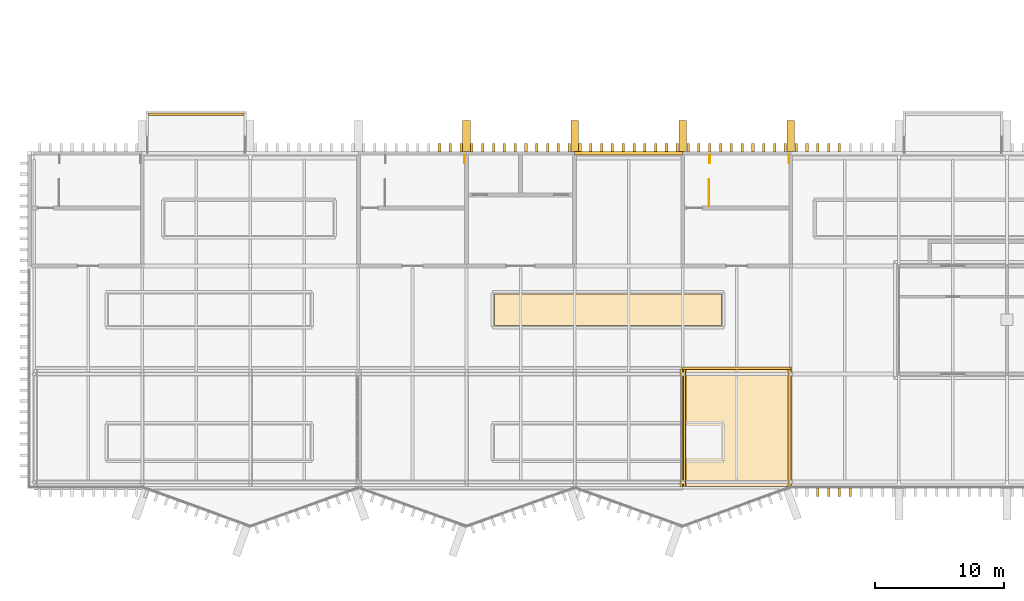
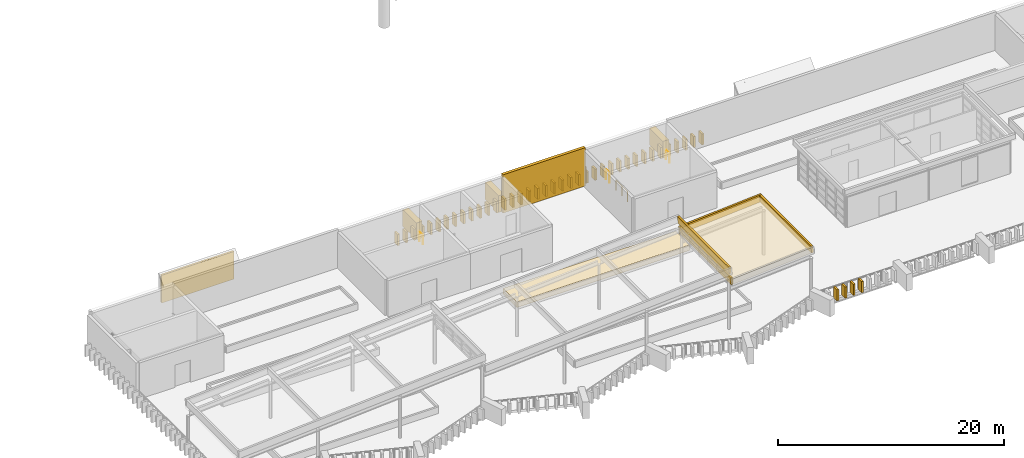
# One storey, part 45 of 51: 54 coverings, 4 railings.
"""IFC4 building model written with IfcOpenShell, lengths in metres."""

import ifcopenshell
import ifcopenshell.guid

model = None  # the IFC model being written
_history = None  # IfcOwnerHistory: only IFC2X3 demands one
_inside = {}  # id of a spatial element -> (the spatial element, [elements in it])
_under = {}  # id of a project, library or spatial element -> (it, [spatial elements below it])
_declared = {}  # id of a project -> (the project, [libraries it declares])
_typed = {}  # id of a type object -> (the type object, [elements of that type])
_made_of = {}  # id of a material, layer set ... -> (it, [elements and type objects made of it])


def new_model(schema):
    """Start an empty IFC model of exactly this schema.

    Asked for "IFC4X3", IfcOpenShell would pick the latest addendum, in which some entities
    have other attributes; the version numbers below select the first issue.
    IFC2X3 requires an IfcOwnerHistory on every rooted entity: one is made here for all.
    """
    global model, _history
    if schema == "IFC4X3":
        model = ifcopenshell.file(schema_version=(4, 3, 0, 0))
    else:
        model = ifcopenshell.file(schema=schema)
    _inside.clear()
    _under.clear()
    _declared.clear()
    _typed.clear()
    _made_of.clear()
    _history = None
    if model.schema == "IFC2X3":
        org = make("IfcOrganization", Name="unknown")
        user = make(
            "IfcPersonAndOrganization",
            ThePerson=make("IfcPerson", FamilyName="unknown"),
            TheOrganization=org,
        )
        app = make(
            "IfcApplication",
            ApplicationDeveloper=org,
            Version="unknown",
            ApplicationFullName="unknown",
            ApplicationIdentifier="unknown",
        )
        _history = make(
            "IfcOwnerHistory",
            OwningUser=user,
            OwningApplication=app,
            ChangeAction="ADDED",
            CreationDate=0,
        )
    return model


def make(cls, **values):
    """One entity of the class cls with the attributes given. An attribute that is None is left unset."""
    return model.create_entity(
        cls, **{name: value for name, value in values.items() if value is not None}
    )


def rooted(cls, **values):
    """An entity with a GlobalId (a new one), such as an element, a storey or a relation."""
    return make(cls, GlobalId=ifcopenshell.guid.new(), OwnerHistory=_history, **values)


def si_unit(unit_type, name, prefix=None):
    """IfcSIUnit, for example si_unit("LENGTHUNIT", "METRE", prefix="MILLI")."""
    return make("IfcSIUnit", UnitType=unit_type, Prefix=prefix, Name=name)


def assignment(units):
    """IfcUnitAssignment: the units of a project."""
    return None if units is None else make("IfcUnitAssignment", Units=units)


def point(xyz):
    """IfcCartesianPoint."""
    return None if xyz is None else make("IfcCartesianPoint", Coordinates=xyz)


def direction(xyz):
    """IfcDirection."""
    return None if xyz is None else make("IfcDirection", DirectionRatios=xyz)


def frame(location, z_axis=None, x_axis=None):
    """IfcAxis2Placement3D, a coordinate frame: its origin and axes. An axis left out is left unset."""
    return make(
        "IfcAxis2Placement3D",
        Location=point(location),
        Axis=direction(z_axis),
        RefDirection=direction(x_axis),
    )


def frame_2d(location, x_axis=None):
    """IfcAxis2Placement2D, a coordinate frame in the plane: its origin and x axis."""
    return make(
        "IfcAxis2Placement2D", Location=point(location), RefDirection=direction(x_axis)
    )


def origin():
    """The frame at (0, 0, 0) with its axes left unset."""
    return frame((0.0, 0.0, 0.0))


def origin_2d():
    """The frame at (0, 0) in the plane with its x axis left unset."""
    return frame_2d((0.0, 0.0))


def place(relative_to, where):
    """IfcLocalPlacement: puts the frame where relative to a parent placement (None: the world)."""
    return make(
        "IfcLocalPlacement", PlacementRelTo=relative_to, RelativePlacement=where
    )


def context(
    kind, dimensions, precision=None, world=None, true_north=None, identifier=None
):
    """IfcGeometricRepresentationContext, for example the 3D "Model" context."""
    return make(
        "IfcGeometricRepresentationContext",
        ContextIdentifier=identifier,
        ContextType=kind,
        CoordinateSpaceDimension=dimensions,
        Precision=precision,
        WorldCoordinateSystem=world,
        TrueNorth=true_north,
    )


def subcontext(parent, identifier, kind, view, scale=None):
    """IfcGeometricRepresentationSubContext, for example "Body" below "Model"."""
    return make(
        "IfcGeometricRepresentationSubContext",
        ContextIdentifier=identifier,
        ContextType=kind,
        ParentContext=parent,
        TargetScale=scale,
        TargetView=view,
    )


def project(units=None, contexts=None):
    """IfcProject with its units and contexts."""
    return rooted(
        "IfcProject",
        Name="project",
        RepresentationContexts=contexts,
        UnitsInContext=assignment(units),
    )


def spatial(cls, under=None, at=None, **own):
    """A site, building, storey or space (cls), placed at a placement, below another one or the project."""
    s = rooted(cls, ObjectPlacement=at, **own)
    if under is not None:
        _under.setdefault(under.id(), (under, []))[1].append(s)
    return s


def polyline(points):
    """IfcPolyline through the points."""
    return make("IfcPolyline", Points=[point(p) for p in points])


def profile(cls, at=None, kind="AREA", **sizes):
    """A parametric profile (cls). Its sizes go by their IFC names, for example OverallWidth=200.0."""
    return make(cls, ProfileType=kind, Position=at, **sizes)


def rectangle(**sizes):
    """IfcRectangleProfileDef."""
    return profile("IfcRectangleProfileDef", **sizes)


def circle(**sizes):
    """IfcCircleProfileDef."""
    return profile("IfcCircleProfileDef", **sizes)


def outline(outer, holes=None, kind="AREA"):
    """IfcArbitraryClosedProfileDef: a profile drawn as a closed curve; with holes, ...WithVoids."""
    if holes is None:
        return make("IfcArbitraryClosedProfileDef", ProfileType=kind, OuterCurve=outer)
    return make(
        "IfcArbitraryProfileDefWithVoids",
        ProfileType=kind,
        OuterCurve=outer,
        InnerCurves=holes,
    )


def extrude(swept, where, along, depth):
    """IfcExtrudedAreaSolid: the profile swept, set in the frame where, extruded along a direction by depth."""
    return make(
        "IfcExtrudedAreaSolid",
        SweptArea=swept,
        Position=where,
        ExtrudedDirection=direction(along),
        Depth=depth,
    )


def shape(context_of_items, identifier, shape_type, items):
    """IfcShapeRepresentation: the items that make up one representation, for example the "Body"."""
    return make(
        "IfcShapeRepresentation",
        ContextOfItems=context_of_items,
        RepresentationIdentifier=identifier,
        RepresentationType=shape_type,
        Items=items,
    )


def material(Name=None, Category=None):
    """IfcMaterial."""
    return make("IfcMaterial", Name=Name, Category=Category)


def layer(
    of_material, thickness, ventilated=None, Name=None, Category=None, Priority=None
):
    """IfcMaterialLayer: one layer of a wall or slab, of a material (None: an air gap)."""
    return make(
        "IfcMaterialLayer",
        Material=of_material,
        LayerThickness=thickness,
        IsVentilated=ventilated,
        Name=Name,
        Category=Category,
        Priority=Priority,
    )


def layer_set(layers, Name=None):
    """IfcMaterialLayerSet."""
    return make("IfcMaterialLayerSet", MaterialLayers=layers, LayerSetName=Name)


def made_of(thing, what):
    """Note that an element or type object is made of a material, layer set ...; save() writes the relation."""
    if what is not None:
        _made_of.setdefault(what.id(), (what, []))[1].append(thing)
    return thing


def type_object(cls, material=None, **own):
    """A type object (cls), such as IfcWallType, which elements share."""
    return made_of(rooted(cls, **own), material)


def element(
    cls,
    number,
    at=None,
    inside=None,
    cuts=None,
    type_object=None,
    material=None,
    context=None,
    identifier="Body",
    shape_type=None,
    held_by="IfcProductDefinitionShape",
    body=None,
    shapes=None,
    **own,
):
    """One element of the class cls, such as IfcWall. Its Tag is "e" and its number.

    at: its placement. inside: the storey or other place that contains it. cuts: it is an
    opening in that element (IfcRelVoidsElement). A single representation is given by context,
    identifier, shape_type and body (its items); several are given by shapes. held_by: the class
    of the entity that holds the representations. save() writes the other relations.
    """
    e = rooted(cls, Tag="e%d" % number, ObjectPlacement=at, **own)
    if body is not None:
        shapes = [shape(context, identifier, shape_type, body)]
    if shapes is not None:
        e.Representation = make(held_by, Representations=shapes)
    if inside is not None:
        _inside.setdefault(inside.id(), (inside, []))[1].append(e)
    if cuts is not None:
        rooted(
            "IfcRelVoidsElement", RelatingBuildingElement=cuts, RelatedOpeningElement=e
        )
    if type_object is not None:
        _typed.setdefault(type_object.id(), (type_object, []))[1].append(e)
    return made_of(e, material)


def aggregate(whole, parts):
    """IfcRelAggregates: a whole, such as a stair, and the parts it consists of."""
    return rooted("IfcRelAggregates", RelatingObject=whole, RelatedObjects=parts)


def save(model, path):
    """Write the relations noted so far, then the file.

    IfcRelAggregates (storeys below a building ...), IfcRelContainedInSpatialStructure (elements
    in a storey), IfcRelDefinesByType, IfcRelAssociatesMaterial and IfcRelDeclares: one each for
    every whole, place, type object, material and project.
    """
    for whole, parts in _under.values():
        aggregate(whole, parts)
    for where, things in _inside.values():
        rooted(
            "IfcRelContainedInSpatialStructure",
            RelatedElements=things,
            RelatingStructure=where,
        )
    for kind, things in _typed.values():
        rooted("IfcRelDefinesByType", RelatedObjects=things, RelatingType=kind)
    for what, things in _made_of.values():
        rooted("IfcRelAssociatesMaterial", RelatedObjects=things, RelatingMaterial=what)
    for by, libraries in _declared.values():
        rooted("IfcRelDeclares", RelatingContext=by, RelatedDefinitions=libraries)
    model.write(path)


model = new_model("IFC4")

# Units and contexts
model_context = context("Model", 3, precision=1e-05, world=origin(), true_north=direction((0.0, 1.0)))
body_context = subcontext(model_context, "Body", "Model", "MODEL_VIEW")
ifc_project = project(units=[si_unit("LENGTHUNIT", "METRE"), si_unit("AREAUNIT", "SQUARE_METRE"), si_unit("VOLUMEUNIT", "CUBIC_METRE"), si_unit("PLANEANGLEUNIT", "RADIAN"), si_unit("MASSUNIT", "GRAM", prefix="KILO")], contexts=[model_context])

# Site, building, storey
site_placement = place(None, origin())
site = spatial("IfcSite", under=ifc_project, at=site_placement, CompositionType="ELEMENT")
building_placement = place(site_placement, origin())
building = spatial("IfcBuilding", under=site, at=building_placement, Name="Cresset Court Congress Hotel", CompositionType="ELEMENT")
storey_placement = place(building_placement, frame((0.0, 0.0, 18.60009765625)))
storey = spatial("IfcBuildingStorey", under=building, at=storey_placement, Name="L04", CompositionType="ELEMENT", Elevation=18.60009765625)

# Railings
ifc_material_1 = material(Name="Steel and laminated glass", Category="steel")
railing_type = type_object("IfcRailingType", Name="Guard 1100 steel and glass", PredefinedType="GUARDRAIL", material=ifc_material_1)
for number, where, name in (
    (1, (41.85009765625, 24.800048828125, 0.0), "Roof stair well guard 3"),
    (2, (67.050048828125, 24.800048828125, 0.0), "Roof stair well guard 5"),
    (3, (60.90087890625, 24.800048828125, 0.0), "Roof stair well guard 6"),
):
    element("IfcRailing", number, at=place(storey_placement, frame(where)), inside=storey, type_object=railing_type, Name=name, PredefinedType="GUARDRAIL", context=body_context, shape_type="SweptSolid", body=[
        extrude(circle(Radius=0.02392578125, at=origin_2d()), frame((0.0, 0.0, 1.076171875), z_axis=(0.0, 1.0, 0.0), x_axis=(-1.0, 0.0, 0.0)), (0.0, 0.0, 1.0), 0.599853515625),
        extrude(circle(Radius=0.02099609375, at=origin_2d()), origin(), (0.0, 0.0, 1.0), 1.052001953125),
        extrude(circle(Radius=0.02099609375, at=origin_2d()), frame((0.0, 0.599853515625, 0.0)), (0.0, 0.0, 1.0), 1.052001953125),
    ])
railing_placement = place(storey_placement, frame((60.85009765625, 21.449951171875, 0.0)))
element("IfcRailing", 4, at=railing_placement, inside=storey, type_object=railing_type, Name="L04 ST-B3 top well guard 1", PredefinedType="GUARDRAIL", context=body_context, shape_type="SweptSolid", body=[
    extrude(circle(Radius=0.02392578125, at=origin_2d()), frame((0.0, 0.0, 1.076171875), z_axis=(0.0, 1.0, 0.0), x_axis=(-1.0, 0.0, 0.0)), (0.0, 0.0, 1.0), 2.050048828125),
    extrude(circle(Radius=0.02099609375, at=origin_2d()), origin(), (0.0, 0.0, 1.0), 1.052001953125),
    extrude(circle(Radius=0.02099609375, at=origin_2d()), frame((0.0, 1.02490234375, 0.0)), (0.0, 0.0, 1.0), 1.052001953125),
    extrude(circle(Radius=0.02099609375, at=origin_2d()), frame((0.0, 2.050048828125, 0.0)), (0.0, 0.0, 1.0), 1.052001953125),
])

# Coverings
ifc_material_2 = material(Name="Concrete C50", Category="concrete")
ifc_layer_1 = layer(ifc_material_2, 0.199951171875)
ifc_layer_set_1 = layer_set([ifc_layer_1], Name="Planter edge 200 precast")
covering_type_1 = type_object("IfcCoveringType", Name="Planter edge 200 precast", PredefinedType="USERDEFINED", material=ifc_layer_set_1)
covering_1_placement = place(storey_placement, frame((58.60009765625, -0.35009765625, 6.89990234375), z_axis=(-0.069429123991, 0.0, 0.997586886813), x_axis=(0.997586886813, 0.0, 0.069429123991)))
element("IfcCovering", 5, at=covering_1_placement, inside=storey, type_object=covering_type_1, Name="Planter edge plate 2 line 4", ObjectType="PLANTER EDGE", PredefinedType="USERDEFINED", context=body_context, shape_type="SweptSolid", body=[
    extrude(outline(polyline([(0.0, 0.0), (0.2004348438397402, 0.0), (0.2004348438397402, 9.10009765625), (0.0, 9.10009765625), (0.0, 0.0)])), origin(), (0.0, 0.0, -1.0), 0.75),
])
covering_2_placement = place(storey_placement, frame((58.800048828125, 8.75, 5.64990234375), z_axis=(-0.069817009688, 0.0, 0.997559815329), x_axis=(0.997559815329, 0.0, 0.069817009688)))
element("IfcCovering", 6, at=covering_2_placement, inside=storey, type_object=covering_type_1, Name="Planter edge plate 3 N", ObjectType="PLANTER EDGE", PredefinedType="USERDEFINED", context=body_context, shape_type="SweptSolid", body=[
    extrude(outline(polyline([(0.0, 0.0), (8.420449796269772, 0.0), (8.420449796269772, 0.19995117187499997), (0.0, 0.19995117187499997), (0.0, 0.0)])), origin(), (0.0, 0.0, -1.0), 0.75),
])
for number, where, z_axis, x_axis, name in (
    (7, (58.800048828125, -0.35009765625, 5.64990234375), (-0.069429123991, 0.0, 0.997586886813), (0.997586886813, 0.0, 0.069429123991), "Planter edge plate 3 line 1"),
    (8, (67.0, -0.35009765625, 6.223876953125), (-0.069429123991, 0.0, 0.997586886813), (0.997586886813, 0.0, 0.069429123991), "Planter edge plate 3 line 2"),
):
    element("IfcCovering", number, at=place(storey_placement, frame(where, z_axis=z_axis, x_axis=x_axis)), inside=storey, type_object=covering_type_1, Name=name, ObjectType="PLANTER EDGE", PredefinedType="USERDEFINED", context=body_context, shape_type="SweptSolid", body=[
        extrude(outline(polyline([(0.0, 0.0), (0.2004348438397402, 0.0), (0.2004348438397402, 9.10009765625), (0.0, 9.10009765625), (0.0, 0.0)])), origin(), (0.0, 0.0, -1.0), 0.75),
    ])
ifc_material_3 = material(Name="Planting soil")
ifc_layer_2 = layer(ifc_material_3, 0.60009765625)
ifc_layer_set_2 = layer_set([ifc_layer_2], Name="Planter soil bed 600")
covering_type_2 = type_object("IfcCoveringType", Name="Planter soil bed 600", PredefinedType="FLOORING", material=ifc_layer_set_2)
covering_3_placement = place(storey_placement, frame((59.0, -0.35009765625, 5.513916015625), z_axis=(-0.069836398408, 0.0, 0.997558458165), x_axis=(0.997558458165, 0.0, 0.069836398408)))
element("IfcCovering", 9, at=covering_3_placement, inside=storey, type_object=covering_type_2, Name="Planting bed plate 3 bay 1", PredefinedType="FLOORING", context=body_context, shape_type="SweptSolid", body=[
    extrude(outline(polyline([(0.0, 0.0), (8.019580140408426, 0.0), (8.019580140408426, 9.100097656250002), (0.0, 9.100097656250002), (0.0, 0.0)])), origin(), (0.0, 0.0, -1.0), 0.60009765625),
])
covering_4_placement = place(storey_placement, origin())
element("IfcCovering", 10, at=covering_4_placement, inside=storey, type_object=covering_type_2, Name="Planting bed 6", PredefinedType="FLOORING", context=body_context, shape_type="SweptSolid", body=[
    extrude(outline(polyline([(44.179931640625, 12.179931640625), (61.820068359375, 12.179931640625), (61.820068359375, 14.6201171875), (44.179931640625, 14.6201171875), (44.179931640625, 12.179931640625)])), origin(), (0.0, 0.0, 1.0), 0.599853515625),
])
ifc_material_4 = material(Name="Precast concrete C50", Category="concrete")
covering_type_3 = type_object("IfcCoveringType", Name="Precast stone fin 200x600 variant 1", PredefinedType="CLADDING", material=ifc_material_4)
for number, where, z_axis, x_axis, name in (
    (11, (69.300048828125, -0.800048828125, 0.0), (0.0, 0.0, 1.0), (1.0, 0.0, 0.0), "Fin S04-072"),
    (12, (70.139892578125, -0.800048828125, 0.0), (0.0, 0.0, 1.0), (1.0, 0.0, 0.0), "Fin S04-073"),
    (13, (70.97998046875, -0.800048828125, 0.0), (0.0, 0.0, 1.0), (1.0, 0.0, 0.0), "Fin S04-074"),
    (14, (71.820068359375, -0.800048828125, 0.0), (0.0, 0.0, 1.0), (1.0, 0.0, 0.0), "Fin S04-075"),
    (15, (39.89990234375, 26.0, 0.0), (0.0, 0.0, 1.0), (1.0, 0.0, 0.0), "Fin N04-037"),
    (16, (40.739990234375, 26.0, 0.0), (0.0, 0.0, 1.0), (1.0, 0.0, 0.0), "Fin N04-038"),
    (17, (41.580078125, 26.0, 0.0), (0.0, 0.0, 1.0), (1.0, 0.0, 0.0), "Fin N04-039"),
    (18, (42.419921875, 26.0, 0.0), (0.0, 0.0, 1.0), (1.0, 0.0, 0.0), "Fin N04-040"),
    (19, (43.260009765625, 26.0, 0.0), (0.0, 0.0, 1.0), (1.0, 0.0, 0.0), "Fin N04-041"),
    (20, (44.10009765625, 26.0, 0.0), (0.0, 0.0, 1.0), (1.0, 0.0, 0.0), "Fin N04-042"),
    (21, (44.93994140625, 26.0, 0.0), (0.0, 0.0, 1.0), (1.0, 0.0, 0.0), "Fin N04-043"),
    (22, (45.780029296875, 26.0, 0.0), (0.0, 0.0, 1.0), (1.0, 0.0, 0.0), "Fin N04-044"),
    (23, (46.6201171875, 26.0, 0.0), (0.0, 0.0, 1.0), (1.0, 0.0, 0.0), "Fin N04-045"),
    (24, (47.4599609375, 26.0, 0.0), (0.0, 0.0, 1.0), (1.0, 0.0, 0.0), "Fin N04-046"),
    (25, (48.300048828125, 26.0, 0.0), (0.0, 0.0, 1.0), (1.0, 0.0, 0.0), "Fin N04-047"),
    (26, (49.139892578125, 26.0, 0.0), (0.0, 0.0, 1.0), (1.0, 0.0, 0.0), "Fin N04-048"),
    (27, (49.97998046875, 26.0, 0.0), (0.0, 0.0, 1.0), (1.0, 0.0, 0.0), "Fin N04-049"),
    (28, (50.820068359375, 26.0, 0.0), (0.0, 0.0, 1.0), (1.0, 0.0, 0.0), "Fin N04-050"),
    (29, (51.659912109375, 26.0, 0.0), (0.0, 0.0, 1.0), (1.0, 0.0, 0.0), "Fin N04-051"),
    (30, (52.5, 26.0, 0.0), (0.0, 0.0, 1.0), (1.0, 0.0, 0.0), "Fin N04-052"),
    (31, (53.340087890625, 26.0, 0.0), (0.0, 0.0, 1.0), (1.0, 0.0, 0.0), "Fin N04-053"),
    (32, (54.179931640625, 26.0, 0.0), (0.0, 0.0, 1.0), (1.0, 0.0, 0.0), "Fin N04-054"),
    (33, (55.02001953125, 26.0, 0.0), (0.0, 0.0, 1.0), (1.0, 0.0, 0.0), "Fin N04-055"),
    (34, (55.860107421875, 26.0, 0.0), (0.0, 0.0, 1.0), (1.0, 0.0, 0.0), "Fin N04-056"),
    (35, (56.699951171875, 26.0, 0.0), (0.0, 0.0, 1.0), (1.0, 0.0, 0.0), "Fin N04-057"),
    (36, (57.5400390625, 26.0, 0.0), (0.0, 0.0, 1.0), (1.0, 0.0, 0.0), "Fin N04-058"),
    (37, (58.3798828125, 26.0, 0.0), (0.0, 0.0, 1.0), (1.0, 0.0, 0.0), "Fin N04-059"),
    (38, (59.219970703125, 26.0, 0.0), (0.0, 0.0, 1.0), (1.0, 0.0, 0.0), "Fin N04-060"),
    (39, (60.06005859375, 26.0, 0.0), (0.0, 0.0, 1.0), (1.0, 0.0, 0.0), "Fin N04-061"),
    (40, (60.89990234375, 26.0, 0.0), (0.0, 0.0, 1.0), (1.0, 0.0, 0.0), "Fin N04-062"),
    (41, (61.739990234375, 26.0, 0.0), (0.0, 0.0, 1.0), (1.0, 0.0, 0.0), "Fin N04-063"),
    (42, (62.580078125, 26.0, 0.0), (0.0, 0.0, 1.0), (1.0, 0.0, 0.0), "Fin N04-064"),
    (43, (63.419921875, 26.0, 0.0), (0.0, 0.0, 1.0), (1.0, 0.0, 0.0), "Fin N04-065"),
    (44, (64.260009765625, 26.0, 0.0), (0.0, 0.0, 1.0), (1.0, 0.0, 0.0), "Fin N04-066"),
    (45, (65.10009765625, 26.0, 0.0), (0.0, 0.0, 1.0), (1.0, 0.0, 0.0), "Fin N04-067"),
    (46, (65.93994140625, 26.0, 0.0), (0.0, 0.0, 1.0), (1.0, 0.0, 0.0), "Fin N04-068"),
    (47, (66.780029296875, 26.0, 0.0), (0.0, 0.0, 1.0), (1.0, 0.0, 0.0), "Fin N04-069"),
    (48, (67.6201171875, 26.0, 0.0), (0.0, 0.0, 1.0), (1.0, 0.0, 0.0), "Fin N04-070"),
    (49, (68.4599609375, 26.0, 0.0), (0.0, 0.0, 1.0), (1.0, 0.0, 0.0), "Fin N04-071"),
    (50, (69.300048828125, 26.0, 0.0), (0.0, 0.0, 1.0), (1.0, 0.0, 0.0), "Fin N04-072"),
    (51, (70.139892578125, 26.0, 0.0), (0.0, 0.0, 1.0), (1.0, 0.0, 0.0), "Fin N04-073"),
    (52, (70.97998046875, 26.0, 0.0), (0.0, 0.0, 1.0), (1.0, 0.0, 0.0), "Fin N04-074"),
):
    element("IfcCovering", number, at=place(storey_placement, frame(where, z_axis=z_axis, x_axis=x_axis)), inside=storey, type_object=covering_type_3, Name=name, PredefinedType="CLADDING", context=body_context, shape_type="SweptSolid", body=[
        extrude(rectangle(XDim=0.199951171875, YDim=0.60009765625, at=origin_2d()), origin(), (0.0, 0.0, 1.0), 1.199951171875),
    ])
ifc_material_5 = material(Name="Precast concrete C50", Category="concrete")
ifc_layer_3 = layer(ifc_material_5, 0.199951171875)
ifc_layer_set_3 = layer_set([ifc_layer_3], Name="Precast stone hood fascia 200")
covering_type_4 = type_object("IfcCoveringType", Name="Precast stone hood fascia 200", PredefinedType="CLADDING", material=ifc_layer_set_3)
covering_5_placement = place(storey_placement, frame((21.0, 28.60009765625, 0.0), z_axis=(0.0, 0.0, 1.0), x_axis=(1.0, 0.0, 0.0)))
element("IfcCovering", 53, at=covering_5_placement, inside=storey, type_object=covering_type_4, Name="Hood fascia N01", PredefinedType="CLADDING", context=body_context, shape_type="SweptSolid", body=[
    extrude(rectangle(XDim=7.39990234375, YDim=0.199951171875, at=origin_2d()), origin(), (0.0, 0.0, 1.0), 3.0),
])
ifc_material_6 = material(Name="Precast concrete C50", Category="concrete")
covering_type_5 = type_object("IfcCoveringType", Name="Precast stone pier 600x2400", PredefinedType="CLADDING", material=ifc_material_6)
for number, where, z_axis, x_axis, name in (
    (54, (42.0, 26.89990234375, 0.0), (0.0, 0.0, 1.0), (1.0, 0.0, 0.0), "Pier N04-04"),
    (55, (50.39990234375, 26.89990234375, 0.0), (0.0, 0.0, 1.0), (1.0, 0.0, 0.0), "Pier N04-05"),
    (56, (58.800048828125, 26.89990234375, 0.0), (0.0, 0.0, 1.0), (1.0, 0.0, 0.0), "Pier N04-06"),
    (57, (67.199951171875, 26.89990234375, 0.0), (0.0, 0.0, 1.0), (1.0, 0.0, 0.0), "Pier N04-07"),
):
    element("IfcCovering", number, at=place(storey_placement, frame(where, z_axis=z_axis, x_axis=x_axis)), inside=storey, type_object=covering_type_5, Name=name, PredefinedType="CLADDING", context=body_context, shape_type="SweptSolid", body=[
        extrude(rectangle(XDim=0.60009765625, YDim=2.39990234375, at=origin_2d()), origin(), (0.0, 0.0, 1.0), 1.800048828125),
    ])
ifc_material_7 = material(Name="Concrete C50", Category="concrete")
ifc_layer_4 = layer(ifc_material_7, 0.300048828125)
ifc_layer_set_4 = layer_set([ifc_layer_4], Name="Precast stone roof screen 300")
covering_type_6 = type_object("IfcCoveringType", Name="Precast stone roof screen 300", PredefinedType="CLADDING", material=ifc_layer_set_4)
covering_6_placement = place(storey_placement, frame((54.60009765625, 25.550048828125, 0.0), z_axis=(0.0, 0.0, 1.0), x_axis=(1.0, 0.0, 0.0)))
element("IfcCovering", 58, at=covering_6_placement, inside=storey, type_object=covering_type_6, Name="Roof screen 3", PredefinedType="CLADDING", context=body_context, shape_type="SweptSolid", body=[
    extrude(rectangle(XDim=8.39990234375, YDim=0.300048828125, at=origin_2d()), origin(), (0.0, 0.0, 1.0), 4.139892578125),
])

save(model, "model.ifc")
